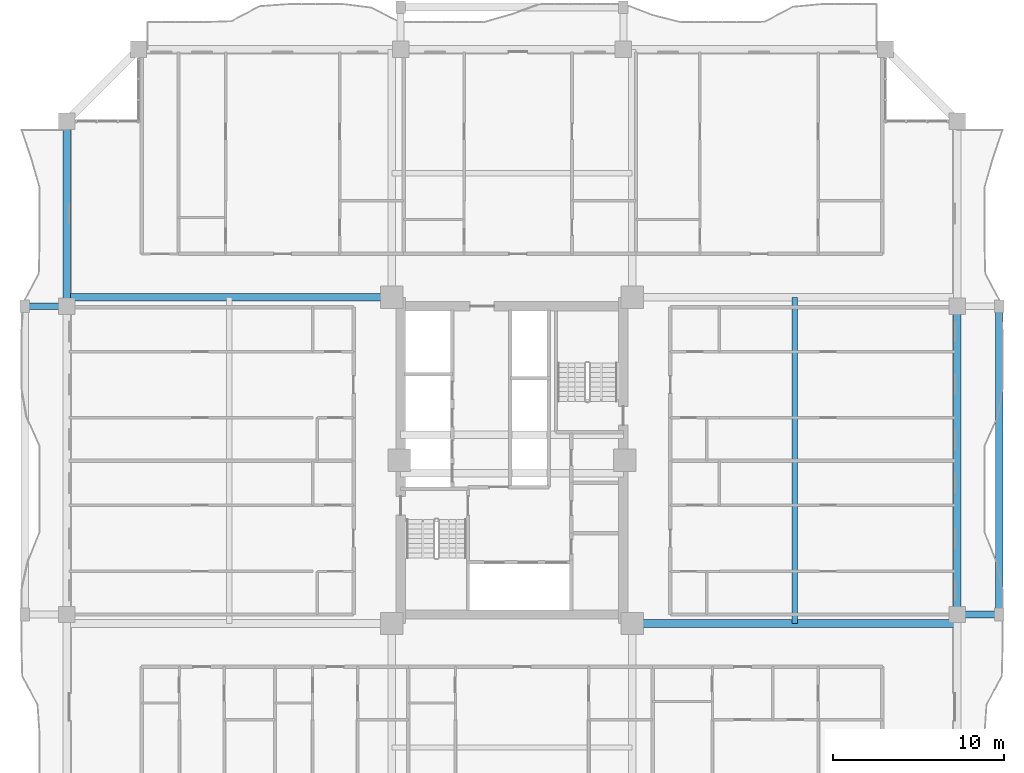
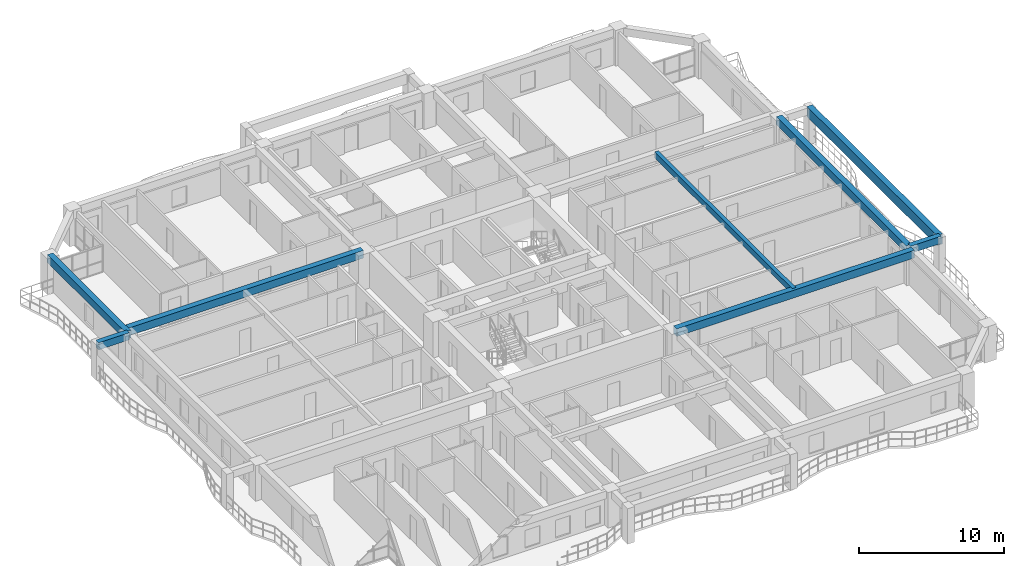
# One storey, part 5 of 25: 8 beams.
"""IFC4 building model written with IfcOpenShell, lengths in metres."""

from ifc_helpers import new_model, si_unit, direction, frame, origin, origin_2d, place, context, subcontext, project, spatial, rectangle, extrude, source, transform, mapped, material, material_profile, profile_set, type_object, element, save


model = new_model("IFC4")

# Units and contexts
model_context = context("Model", 3, precision=1e-05, world=origin(), true_north=direction((0.0, 1.0)))
body_context = subcontext(model_context, "Body", "Model", "MODEL_VIEW")
ifc_project = project(units=[si_unit("LENGTHUNIT", "METRE"), si_unit("AREAUNIT", "SQUARE_METRE"), si_unit("VOLUMEUNIT", "CUBIC_METRE"), si_unit("PLANEANGLEUNIT", "RADIAN"), si_unit("MASSUNIT", "GRAM", prefix="KILO")], contexts=[model_context])

# Site, building, storey
site_placement = place(None, origin())
site = spatial("IfcSite", under=ifc_project, at=site_placement, CompositionType="ELEMENT")
building_placement = place(site_placement, origin())
building = spatial("IfcBuilding", under=site, at=building_placement, Name="Saelheon Loggia Tower", CompositionType="ELEMENT")
storey_placement = place(building_placement, frame((0.0, 0.0, 80.85009765625)))
storey = spatial("IfcBuildingStorey", under=building, at=storey_placement, Name="L25", CompositionType="ELEMENT", Elevation=80.85009765625)

# Beams
ifc_material_1 = material(Name="Precast Concrete C45/55", Category="concrete")
ifc_material_profile_1 = material_profile(ifc_material_1, rectangle(XDim=0.39990234375, YDim=0.60009765625, at=origin_2d()), Name="RC-400x600")
ifc_profile_set_1 = profile_set([ifc_material_profile_1], Name="Precast Concrete C45/55")
beam_type_1 = type_object("IfcBeamType", Name="Beam_LoggiaTie_RC400x600", PredefinedType="BEAM", material=ifc_profile_set_1)
shared_shape_1 = source(origin(), body_context, "Body", "SweptSolid", [
    extrude(rectangle(XDim=0.39990234375, YDim=0.60009765625, at=origin_2d()), origin(), (0.0, 0.0, 1.0), 2.449951171875),
])
for number, where, z_axis, x_axis, name in (
    (1, (64.0, 18.0, 2.699951171875), (1.0, 0.0, 0.0), (0.0, 1.0, 0.0), "L25 Loggia Frame Tie Beam LP-E1"),
    (2, (12.0, 36.0, 2.699951171875), (-1.0, 0.0, 0.0), (0.0, -1.0, 0.0), "L25 Loggia Frame Tie Beam LP-W2"),
):
    element("IfcBeam", number, at=place(storey_placement, frame(where, z_axis=z_axis, x_axis=x_axis)), inside=storey, type_object=beam_type_1, Name=name, PredefinedType="BEAM", context=body_context, shape_type="MappedRepresentation", body=[
        mapped(shared_shape_1, transform((0.0, 0.0, 0.0), scale=1.0)),
    ])
ifc_material_profile_2 = material_profile(ifc_material_1, rectangle(XDim=0.449951171875, YDim=0.85009765625, at=origin_2d()), Name="RC-450x850")
ifc_profile_set_2 = profile_set([ifc_material_profile_2], Name="Precast Concrete C45/55")
beam_type_2 = type_object("IfcBeamType", Name="Beam_LoggiaSpandrel_RC450x850", PredefinedType="SPANDREL", material=ifc_profile_set_2)
shared_shape_2 = source(origin(), body_context, "Body", "SweptSolid", [
    extrude(rectangle(XDim=0.449951171875, YDim=0.85009765625, at=origin_2d()), origin(), (0.0, 0.0, 1.0), 18.0),
])
beam_1_placement = place(storey_placement, frame((66.449951171875, 18.0, 2.574951171875), z_axis=(0.0, 1.0, 0.0), x_axis=(-1.0, 0.0, 0.0)))
element("IfcBeam", 3, at=beam_1_placement, inside=storey, type_object=beam_type_2, Name="L25 Loggia Spandrel Beam E", PredefinedType="SPANDREL", context=body_context, shape_type="MappedRepresentation", body=[
    mapped(shared_shape_2, transform((0.0, 0.0, 0.0), scale=1.0)),
])
ifc_material_2 = material(Name="Concrete C40/50", Category="concrete")
ifc_material_profile_3 = material_profile(ifc_material_2, rectangle(XDim=0.449951171875, YDim=0.64990234375, at=origin_2d()), Name="RC-450x650")
ifc_profile_set_3 = profile_set([ifc_material_profile_3], Name="Concrete C40/50")
beam_type_3 = type_object("IfcBeamType", Name="Beam_PerimTower_RC450x650", PredefinedType="BEAM", material=ifc_profile_set_3)
shared_shape_3 = source(origin(), body_context, "Body", "SweptSolid", [
    extrude(rectangle(XDim=0.449951171875, YDim=0.64990234375, at=origin_2d()), origin(), (0.0, 0.0, 1.0), 10.800048828125),
])
beam_2_placement = place(storey_placement, frame((12.0, 46.800048828125, 2.6748046875), z_axis=(0.0, -1.0, 0.0), x_axis=(1.0, 0.0, 0.0)))
element("IfcBeam", 4, at=beam_2_placement, inside=storey, type_object=beam_type_3, Name="L25 Perimeter Frame Girder 13", PredefinedType="BEAM", context=body_context, shape_type="MappedRepresentation", body=[
    mapped(shared_shape_3, transform((0.0, 0.0, 0.0), scale=1.0)),
])
shared_shape_4 = source(origin(), body_context, "Body", "SweptSolid", [
    extrude(rectangle(XDim=0.449951171875, YDim=0.64990234375, at=origin_2d()), origin(), (0.0, 0.0, 1.0), 18.0),
])
beam_3_placement = place(storey_placement, frame((64.0, 18.0, 2.6748046875), z_axis=(0.0, 1.0, 0.0), x_axis=(-1.0, 0.0, 0.0)))
element("IfcBeam", 5, at=beam_3_placement, inside=storey, type_object=beam_type_3, Name="L25 Perimeter Frame Girder 06", PredefinedType="BEAM", context=body_context, shape_type="MappedRepresentation", body=[
    mapped(shared_shape_4, transform((0.0, 0.0, 0.0), scale=1.0)),
])
ifc_material_profile_4 = material_profile(ifc_material_2, rectangle(XDim=0.449951171875, YDim=0.64990234375, at=origin_2d()), Name="RC-450x650")
ifc_profile_set_4 = profile_set([ifc_material_profile_4], Name="Concrete C40/50")
beam_type_4 = type_object("IfcBeamType", Name="Beam_TowerGirder_RC450x650", PredefinedType="BEAM", material=ifc_profile_set_4)
shared_shape_5 = source(origin(), body_context, "Body", "SweptSolid", [
    extrude(rectangle(XDim=0.449951171875, YDim=0.64990234375, at=origin_2d()), origin(), (0.0, 0.0, 1.0), 18.97998046875),
])
for number, where, z_axis, x_axis, name in (
    (6, (30.97998046875, 36.52001953125, 2.6748046875), (-1.0, 0.0, 0.0), (0.0, -1.0, 0.0), "L25 Radial Floor Girder RAD-NW-W"),
    (7, (45.02001953125, 17.47998046875, 2.6748046875), (1.0, 0.0, 0.0), (0.0, 1.0, 0.0), "L25 Radial Floor Girder RAD-SE-E"),
):
    element("IfcBeam", number, at=place(storey_placement, frame(where, z_axis=z_axis, x_axis=x_axis)), inside=storey, type_object=beam_type_4, Name=name, PredefinedType="BEAM", context=body_context, shape_type="MappedRepresentation", body=[
        mapped(shared_shape_5, transform((0.0, 0.0, 0.0), scale=1.0)),
    ])
ifc_material_profile_5 = material_profile(ifc_material_2, rectangle(XDim=0.300048828125, YDim=0.5, at=origin_2d()), Name="RC-300x500")
ifc_profile_set_5 = profile_set([ifc_material_profile_5], Name="Concrete C40/50")
beam_type_5 = type_object("IfcBeamType", Name="Beam_Joist_RC300x500", PredefinedType="JOIST", material=ifc_profile_set_5)
shared_shape_6 = source(origin(), body_context, "Body", "SweptSolid", [
    extrude(rectangle(XDim=0.300048828125, YDim=0.5, at=origin_2d()), origin(), (0.0, 0.0, 1.0), 19.0400390625),
])
beam_4_placement = place(storey_placement, frame((54.510009765625, 17.47998046875, 2.75), z_axis=(0.0, 1.0, 0.0), x_axis=(-1.0, 0.0, 0.0)))
element("IfcBeam", 8, at=beam_4_placement, inside=storey, type_object=beam_type_5, Name="L25 East Floor Joist", PredefinedType="JOIST", context=body_context, shape_type="MappedRepresentation", body=[
    mapped(shared_shape_6, transform((0.0, 0.0, 0.0), scale=1.0)),
])

save(model, "model.ifc")
